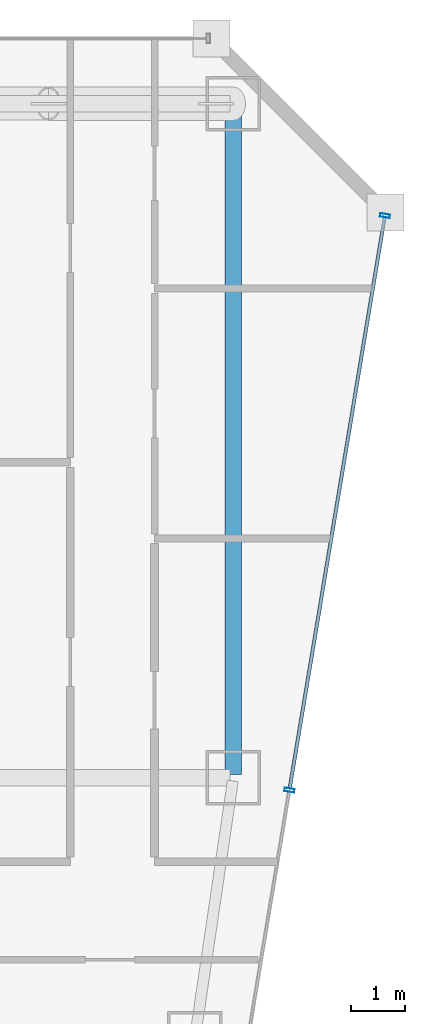
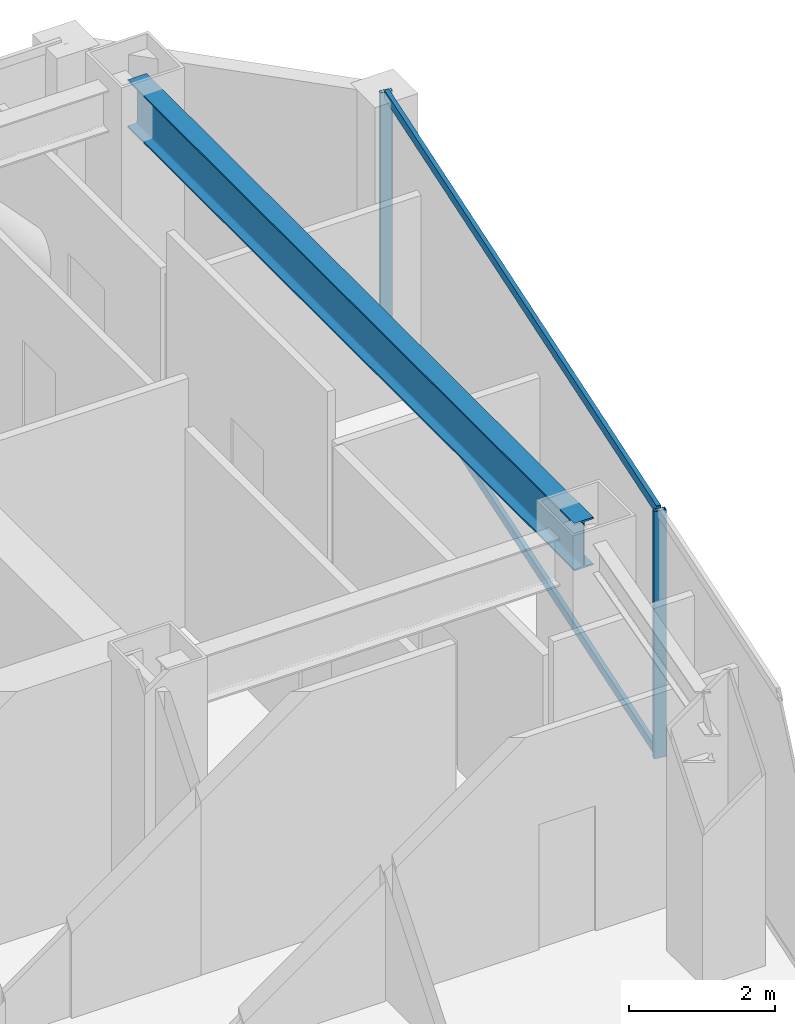
# One storey, part 27 of 37: 4 members, 1 beam, 1 element without a shape of its own.
"""IFC4 building model written with IfcOpenShell, lengths in metres."""

from ifc_helpers import new_model, si_unit, direction, frame, origin, origin_2d, place, context, subcontext, project, spatial, hollow_rectangle, i_section, extrude, material, material_profile, profile_set, type_object, element, aggregate, save


model = new_model("IFC4")

# Units and contexts
model_context = context("Model", 3, precision=1e-05, world=origin(), true_north=direction((0.0, 1.0)))
body_context = subcontext(model_context, "Body", "Model", "MODEL_VIEW")
ifc_project = project(units=[si_unit("LENGTHUNIT", "METRE"), si_unit("AREAUNIT", "SQUARE_METRE"), si_unit("VOLUMEUNIT", "CUBIC_METRE"), si_unit("PLANEANGLEUNIT", "RADIAN"), si_unit("MASSUNIT", "GRAM", prefix="KILO")], contexts=[model_context])

# Site, building, storey
site_placement = place(None, origin())
site = spatial("IfcSite", under=ifc_project, at=site_placement, CompositionType="ELEMENT")
building_placement = place(site_placement, origin())
building = spatial("IfcBuilding", under=site, at=building_placement, Name="Saevonmaru Cultural Tower", CompositionType="ELEMENT")
storey_placement = place(building_placement, frame((0.0, 0.0, 114.800048828125)))
storey = spatial("IfcBuildingStorey", under=building, at=storey_placement, Name="L24", CompositionType="ELEMENT", Elevation=114.800048828125)

# Beam
ifc_material_1 = material(Name="Steel SM420", Category="steel")
ifc_material_profile_1 = material_profile(ifc_material_1, i_section(OverallWidth=0.300048828125, OverallDepth=0.800048828125, WebThickness=0.013916015625, FlangeThickness=0.02587890625, FilletRadius=0.028076171875, at=origin_2d()), Name="H-800x300x14x26")
ifc_profile_set_1 = profile_set([ifc_material_profile_1], Name="Steel SM420")
beam_type = type_object("IfcBeamType", Name="BM-G-H800", PredefinedType="BEAM", material=ifc_profile_set_1)
beam_placement = place(storey_placement, frame((53.199951171875, 54.739990234375, 3.75), z_axis=(0.0, -1.0, 0.0), x_axis=(1.0, 0.0, 0.0)))
element("IfcBeam", 1, at=beam_placement, inside=storey, type_object=beam_type, Name="L24 Spine Transverse Girder E", PredefinedType="BEAM", context=body_context, shape_type="SweptSolid", body=[
    extrude(i_section(OverallWidth=0.300048828125, OverallDepth=0.800048828125, WebThickness=0.013916015625, FlangeThickness=0.02587890625, FilletRadius=0.028076171875, at=origin_2d()), origin(), (0.0, 0.0, 1.0), 12.280029296875),
])

# Curtain wall, members
ifc_material_2 = material(Name="Satin Bronze Anodised Aluminium", Category="aluminium")
curtain_wall_type = type_object("IfcCurtainWallType", Name="CW-TYP-A", PredefinedType="NOTDEFINED", material=ifc_material_2)
curtain_wall_placement = place(storey_placement, origin())
curtain_wall = element("IfcCurtainWall", 2, at=curtain_wall_placement, inside=storey, type_object=curtain_wall_type, Name="L24 Unitised Curtain Wall E8", PredefinedType="NOTDEFINED")
ifc_material_profile_2 = material_profile(ifc_material_2, hollow_rectangle(XDim=0.06494140625, YDim=0.179931640625, WallThickness=0.00390625, at=origin_2d()), Name="ALU-MULL-180x65x4")
ifc_profile_set_2 = profile_set([ifc_material_profile_2], Name="Satin Bronze Anodised Aluminium")
member_type_1 = type_object("IfcMemberType", Name="ML-CW-180x65", PredefinedType="MULLION", material=ifc_profile_set_2)
member_1_placement = place(storey_placement, frame((54.23291015625, 42.17041015625, 0.0), z_axis=(0.0, 0.0, 1.0), x_axis=(0.163998702345, 0.986460554523, 0.0)))
member_1 = element("IfcMember", 3, at=member_1_placement, type_object=member_type_1, Name="CW-TW-L24-E8 mullion 4", PredefinedType="MULLION", context=body_context, shape_type="SweptSolid", body=[
    extrude(hollow_rectangle(XDim=0.06494140625, YDim=0.179931640625, WallThickness=0.00390625, at=origin_2d()), origin(), (0.0, 0.0, 1.0), 4.14990234375),
])
member_2_placement = place(storey_placement, frame((55.990234375, 52.74072265625, 0.0), z_axis=(0.0, 0.0, 1.0), x_axis=(0.163998702345, 0.986460554523, 0.0)))
member_2 = element("IfcMember", 4, at=member_2_placement, type_object=member_type_1, Name="CW-TW-L24-E8 mullion 5", PredefinedType="MULLION", context=body_context, shape_type="SweptSolid", body=[
    extrude(hollow_rectangle(XDim=0.06494140625, YDim=0.179931640625, WallThickness=0.00390625, at=origin_2d()), origin(), (0.0, 0.0, 1.0), 4.14990234375),
])
ifc_material_profile_3 = material_profile(ifc_material_2, hollow_rectangle(XDim=0.06494140625, YDim=0.14990234375, WallThickness=0.00390625, at=origin_2d()), Name="ALU-TRAN-150x65x4")
ifc_profile_set_3 = profile_set([ifc_material_profile_3], Name="Satin Bronze Anodised Aluminium")
member_type_2 = type_object("IfcMemberType", Name="TR-CW-150x65", PredefinedType="USERDEFINED", material=ifc_profile_set_3)
member_3_placement = place(storey_placement, frame((54.23828125, 42.202392578125, 0.032470703125), z_axis=(0.163990079074, 0.9864619881, 0.0), x_axis=(-0.9864619881, 0.163990079074, 0.0)))
member_3 = element("IfcMember", 5, at=member_3_placement, type_object=member_type_2, Name="CW-TW-L24-E8 transom 4.1", ObjectType="TRANSOM", PredefinedType="USERDEFINED", context=body_context, shape_type="SweptSolid", body=[
    extrude(hollow_rectangle(XDim=0.06494140625, YDim=0.14990234375, WallThickness=0.00390625, at=origin_2d()), origin(), (0.0, 0.0, 1.0), 10.650634765625),
])
member_4_placement = place(storey_placement, frame((54.23828125, 42.202392578125, 4.117431640625), z_axis=(0.163990079074, 0.9864619881, 0.0), x_axis=(-0.9864619881, 0.163990079074, 0.0)))
member_4 = element("IfcMember", 6, at=member_4_placement, type_object=member_type_2, Name="CW-TW-L24-E8 transom 4.2", ObjectType="TRANSOM", PredefinedType="USERDEFINED", context=body_context, shape_type="SweptSolid", body=[
    extrude(hollow_rectangle(XDim=0.06494140625, YDim=0.14990234375, WallThickness=0.00390625, at=origin_2d()), origin(), (0.0, 0.0, 1.0), 10.650634765625),
])
aggregate(curtain_wall, [member_1, member_2, member_3, member_4])

save(model, "model.ifc")
